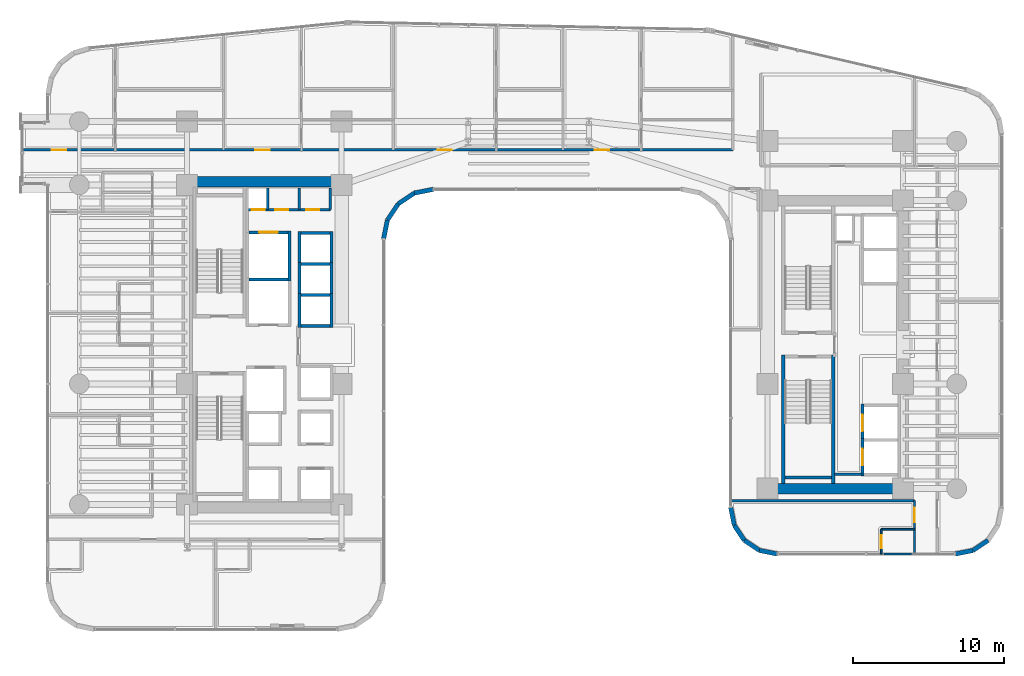
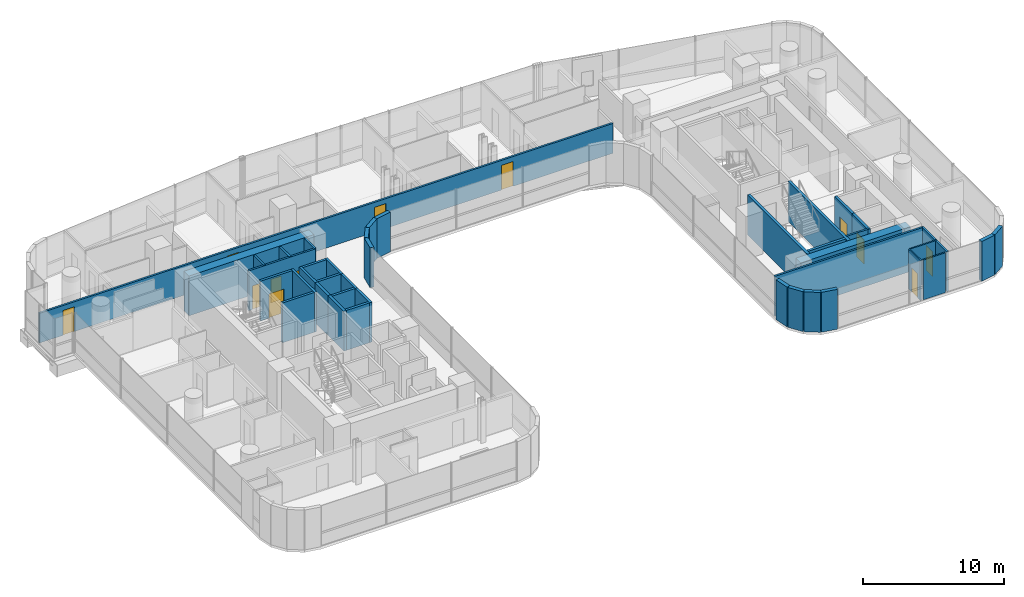
# One storey, part 33 of 42: 41 walls, 12 doors, 12 openings.
"""IFC4 building model written with IfcOpenShell, lengths in metres."""

from ifc_helpers import new_model, si_unit, direction, frame, frame_2d, origin, place, context, subcontext, project, spatial, rectangle, extrude, material, layer, layer_set, type_object, element, fill, save


model = new_model("IFC4")

# Units and contexts
model_context = context("Model", 3, precision=1e-05, world=origin(), true_north=direction((0.0, 1.0)))
body_context = subcontext(model_context, "Body", "Model", "MODEL_VIEW")
ifc_project = project(units=[si_unit("LENGTHUNIT", "METRE"), si_unit("AREAUNIT", "SQUARE_METRE"), si_unit("VOLUMEUNIT", "CUBIC_METRE"), si_unit("PLANEANGLEUNIT", "RADIAN"), si_unit("MASSUNIT", "GRAM", prefix="KILO")], contexts=[model_context])

# Site, building, storey
site_placement = place(None, origin())
site = spatial("IfcSite", under=ifc_project, at=site_placement, CompositionType="ELEMENT")
building_placement = place(site_placement, origin())
building = spatial("IfcBuilding", under=site, at=building_placement, Name="Valdorenza Pilgrim Sanctuary Tower", CompositionType="ELEMENT")
storey_placement = place(building_placement, frame((0.0, 0.0, 55.60009765625)))
storey = spatial("IfcBuildingStorey", under=building, at=storey_placement, Name="L13", CompositionType="ELEMENT", Elevation=55.60009765625)

# Wall, openings, doors
ifc_material_1 = material(Name="Acoustic twin-stud gypsum partition", Category="gypsum")
ifc_layer_1 = layer(ifc_material_1, 0.159912109375, Name="Acoustic twin-stud gypsum partition")
ifc_layer_set_1 = layer_set([ifc_layer_1], Name="Acoustic twin-stud gypsum partition")
wall_type_1 = type_object("IfcWallType", Name="WAL-COR-160", PredefinedType="PARTITIONING", material=ifc_layer_set_1)
wall_1_placement = place(storey_placement, frame((-18.64990234375, 8.949951171875, 0.0), z_axis=(0.0, 0.0, 1.0), x_axis=(1.0, 0.0, 0.0)))
wall_1 = element("IfcWall", 1, at=wall_1_placement, inside=storey, type_object=wall_type_1, Name="L13 Core A North Service South Wall", PredefinedType="PARTITIONING", context=body_context, shape_type="SweptSolid", body=[
    extrude(rectangle(XDim=5.5, YDim=0.159912109375, at=frame_2d((2.75, 0.0))), origin(), (0.0, 0.0, 1.0), 3.4599609375),
])
opening_1_placement = place(wall_1_placement, frame((0.300048828125, 0.0, 0.0)))
opening_1 = element("IfcOpeningElement", 2, at=opening_1_placement, cuts=wall_1, Name="Opening DR-RS1", PredefinedType="OPENING", context=body_context, shape_type="SweptSolid", body=[
    extrude(rectangle(XDim=0.85009765625, YDim=2.050048828125, at=frame_2d((0.425048828125, 1.02490234375))), frame((0.0, 0.0947265625, 0.0), z_axis=(0.0, -1.0, 0.0), x_axis=(1.0, 0.0, 0.0)), (0.0, 0.0, 1.0), 0.189697265625),
])
opening_2_placement = place(wall_1_placement, frame((1.85009765625, 0.0, 0.0)))
opening_2 = element("IfcOpeningElement", 3, at=opening_2_placement, cuts=wall_1, Name="Opening DR-RS1", PredefinedType="OPENING", context=body_context, shape_type="SweptSolid", body=[
    extrude(rectangle(XDim=0.85009765625, YDim=2.050048828125, at=frame_2d((0.425048828125, 1.02490234375))), frame((0.0, 0.0947265625, 0.0), z_axis=(0.0, -1.0, 0.0), x_axis=(1.0, 0.0, 0.0)), (0.0, 0.0, 1.0), 0.189697265625),
])
opening_3_placement = place(wall_1_placement, frame((3.89990234375, 0.0, 0.0)))
opening_3 = element("IfcOpeningElement", 4, at=opening_3_placement, cuts=wall_1, Name="Opening DR-RS1", PredefinedType="OPENING", context=body_context, shape_type="SweptSolid", body=[
    extrude(rectangle(XDim=0.85009765625, YDim=2.050048828125, at=frame_2d((0.425048828125, 1.02490234375))), frame((0.0, 0.0947265625, 0.0), z_axis=(0.0, -1.0, 0.0), x_axis=(1.0, 0.0, 0.0)), (0.0, 0.0, 1.0), 0.189697265625),
])
ifc_material_2 = material(Name="Painted galvanized steel", Category="steel")
door_type_1 = type_object("IfcDoorType", Name="DR-RSR-850", OperationType="NOTDEFINED", PredefinedType="DOOR", material=ifc_material_2)
door_1_placement = place(opening_1_placement, origin())
door_1 = element("IfcDoor", 5, at=door_1_placement, inside=storey, type_object=door_type_1, Name="L13 Core Electrical and Telecom Riser Door", OperationType="SINGLE_SWING_LEFT", OverallHeight=2.050048828125, OverallWidth=0.85009765625, PredefinedType="DOOR", context=body_context, shape_type="SweptSolid", body=[
    extrude(rectangle(XDim=0.85009765625, YDim=2.050048828125, at=frame_2d((0.425048828125, 1.02490234375))), frame((0.0, 0.02490234375, 0.0), z_axis=(0.0, -1.0, 0.0), x_axis=(1.0, 0.0, 0.0)), (0.0, 0.0, 1.0), 0.050048828125),
])
fill(opening_1, door_1)
door_2_placement = place(opening_2_placement, origin())
door_2 = element("IfcDoor", 6, at=door_2_placement, inside=storey, type_object=door_type_1, Name="L13 Housekeeping and Clean Linen Room Door", OperationType="SINGLE_SWING_RIGHT", OverallHeight=2.050048828125, OverallWidth=0.85009765625, PredefinedType="DOOR", context=body_context, shape_type="SweptSolid", body=[
    extrude(rectangle(XDim=0.85009765625, YDim=2.050048828125, at=frame_2d((0.425048828125, 1.02490234375))), frame((0.0, 0.02490234375, 0.0), z_axis=(0.0, -1.0, 0.0), x_axis=(1.0, 0.0, 0.0)), (0.0, 0.0, 1.0), 0.050048828125),
])
fill(opening_2, door_2)
door_3_placement = place(opening_3_placement, origin())
door_3 = element("IfcDoor", 7, at=door_3_placement, inside=storey, type_object=door_type_1, Name="L13 Guest Ice and Vending Pantry Door", OperationType="SINGLE_SWING_LEFT", OverallHeight=2.050048828125, OverallWidth=0.85009765625, PredefinedType="DOOR", context=body_context, shape_type="SweptSolid", body=[
    extrude(rectangle(XDim=0.85009765625, YDim=2.050048828125, at=frame_2d((0.425048828125, 1.02490234375))), frame((0.0, 0.02490234375, 0.0), z_axis=(0.0, -1.0, 0.0), x_axis=(1.0, 0.0, 0.0)), (0.0, 0.0, 1.0), 0.050048828125),
])
fill(opening_3, door_3)

# Walls
for number, where, z_axis, x_axis, name in (
    (8, (-13.14990234375, 8.949951171875, 0.0), (0.0, 0.0, 1.0), (0.0, 1.0, 0.0), "L13 Core A North Service East Wall"),
    (9, (-17.300048828125, 8.949951171875, 0.0), (0.0, 0.0, 1.0), (0.0, 1.0, 0.0), "L13 Core Electrical Riser Wall"),
    (10, (-15.199951171875, 8.949951171875, 0.0), (0.0, 0.0, 1.0), (0.0, 1.0, 0.0), "L13 Core A Housekeeping Split B"),
):
    element("IfcWall", number, at=place(storey_placement, frame(where, z_axis=z_axis, x_axis=x_axis)), inside=storey, type_object=wall_type_1, Name=name, PredefinedType="PARTITIONING", context=body_context, shape_type="SweptSolid", body=[
        extrude(rectangle(XDim=1.429931640625, YDim=0.159912109375, at=frame_2d((0.71484375, 0.0))), origin(), (0.0, 0.0, 1.0), 3.4599609375),
    ])
wall_2_placement = place(storey_placement, frame((20.300048828125, -8.60009765625, 0.0), z_axis=(0.0, 0.0, 1.0), x_axis=(1.0, 0.0, 0.0)))
element("IfcWall", 11, at=wall_2_placement, inside=storey, type_object=wall_type_1, Name="L13 Core B Lift Hall South End Wall", PredefinedType="PARTITIONING", context=body_context, shape_type="SweptSolid", body=[
    extrude(rectangle(XDim=1.820068359375, YDim=0.159912109375, at=frame_2d((0.91015625, 0.0))), origin(), (0.0, 0.0, 1.0), 3.4599609375),
])

# Wall, openings, doors
wall_3_placement = place(storey_placement, frame((-33.5400390625, 12.919921875, 0.0), z_axis=(0.0, 0.0, 1.0), x_axis=(1.0, 0.0, 0.0)))
wall_3 = element("IfcWall", 12, at=wall_3_placement, inside=storey, type_object=wall_type_1, Name="L13 North Corridor Wall", PredefinedType="PARTITIONING", context=body_context, shape_type="SweptSolid", body=[
    extrude(rectangle(XDim=47.090087890625, YDim=0.159912109375, at=frame_2d((23.544921875, 0.0))), origin(), (0.0, 0.0, 1.0), 2.5830078125),
])
opening_4_placement = place(wall_3_placement, frame((1.919921875, 0.0, 0.0)))
opening_4 = element("IfcOpeningElement", 13, at=opening_4_placement, cuts=wall_3, Name="Opening DR-UN1", PredefinedType="OPENING", context=body_context, shape_type="SweptSolid", body=[
    extrude(rectangle(XDim=0.949951171875, YDim=2.14990234375, at=frame_2d((0.47509765625, 1.074951171875))), frame((0.0, 0.0947265625, 0.0), z_axis=(0.0, -1.0, 0.0), x_axis=(1.0, 0.0, 0.0)), (0.0, 0.0, 1.0), 0.189697265625),
])
opening_5_placement = place(wall_3_placement, frame((15.4169921875, 0.0, 0.0)))
opening_5 = element("IfcOpeningElement", 14, at=opening_5_placement, cuts=wall_3, Name="Opening DR-UN1", PredefinedType="OPENING", context=body_context, shape_type="SweptSolid", body=[
    extrude(rectangle(XDim=0.949951171875, YDim=2.14990234375, at=frame_2d((0.47509765625, 1.074951171875))), frame((0.0, 0.0947265625, 0.0), z_axis=(0.0, -1.0, 0.0), x_axis=(1.0, 0.0, 0.0)), (0.0, 0.0, 1.0), 0.189697265625),
])
opening_6_placement = place(wall_3_placement, frame((27.5048828125, 0.0, 0.0)))
opening_6 = element("IfcOpeningElement", 15, at=opening_6_placement, cuts=wall_3, Name="Opening DR-UN1", PredefinedType="OPENING", context=body_context, shape_type="SweptSolid", body=[
    extrude(rectangle(XDim=0.949951171875, YDim=2.14990234375, at=frame_2d((0.47509765625, 1.074951171875))), frame((0.0, 0.0947265625, 0.0), z_axis=(0.0, -1.0, 0.0), x_axis=(1.0, 0.0, 0.0)), (0.0, 0.0, 1.0), 0.189697265625),
])
opening_7_placement = place(wall_3_placement, frame((37.943115234375, 0.0, 0.0)))
opening_7 = element("IfcOpeningElement", 16, at=opening_7_placement, cuts=wall_3, Name="Opening DR-UN1", PredefinedType="OPENING", context=body_context, shape_type="SweptSolid", body=[
    extrude(rectangle(XDim=0.949951171875, YDim=2.14990234375, at=frame_2d((0.47509765625, 1.074951171875))), frame((0.0, 0.0947265625, 0.0), z_axis=(0.0, -1.0, 0.0), x_axis=(1.0, 0.0, 0.0)), (0.0, 0.0, 1.0), 0.189697265625),
])
ifc_material_3 = material(Name="Solid-core European oak timber", Category="wood")
door_type_2 = type_object("IfcDoorType", Name="DR-UNIT-950", OperationType="NOTDEFINED", PredefinedType="DOOR", material=ifc_material_3)
door_4_placement = place(opening_4_placement, frame((0.949951171875, 0.0, 0.0), z_axis=(0.0, 0.0, 1.0), x_axis=(-1.0, 0.0, 0.0)))
door_4 = element("IfcDoor", 17, at=door_4_placement, inside=storey, type_object=door_type_2, Name="L13 North Sanctuary Apartment L13-N1 Entrance Door", OperationType="SINGLE_SWING_LEFT", OverallHeight=2.14990234375, OverallWidth=0.949951171875, PredefinedType="DOOR", context=body_context, shape_type="SweptSolid", body=[
    extrude(rectangle(XDim=0.949951171875, YDim=2.14990234375, at=frame_2d((0.47509765625, 1.074951171875))), frame((0.0, 0.02490234375, 0.0), z_axis=(0.0, -1.0, 0.0), x_axis=(1.0, 0.0, 0.0)), (0.0, 0.0, 1.0), 0.050048828125),
])
fill(opening_4, door_4)
door_5_placement = place(opening_5_placement, frame((0.949951171875, 0.0, 0.0), z_axis=(0.0, 0.0, 1.0), x_axis=(-1.0, 0.0, 0.0)))
door_5 = element("IfcDoor", 18, at=door_5_placement, inside=storey, type_object=door_type_2, Name="L13 North Sanctuary Apartment L13-N2 Entrance Door", OperationType="SINGLE_SWING_LEFT", OverallHeight=2.14990234375, OverallWidth=0.949951171875, PredefinedType="DOOR", context=body_context, shape_type="SweptSolid", body=[
    extrude(rectangle(XDim=0.949951171875, YDim=2.14990234375, at=frame_2d((0.47509765625, 1.074951171875))), frame((0.0, 0.02490234375, 0.0), z_axis=(0.0, -1.0, 0.0), x_axis=(1.0, 0.0, 0.0)), (0.0, 0.0, 1.0), 0.050048828125),
])
fill(opening_5, door_5)
door_6_placement = place(opening_6_placement, frame((0.949951171875, 0.0, 0.0), z_axis=(0.0, 0.0, 1.0), x_axis=(-1.0, 0.0, 0.0)))
door_6 = element("IfcDoor", 19, at=door_6_placement, inside=storey, type_object=door_type_2, Name="L13 North Sanctuary Apartment L13-N3 Entrance Door", OperationType="SINGLE_SWING_LEFT", OverallHeight=2.14990234375, OverallWidth=0.949951171875, PredefinedType="DOOR", context=body_context, shape_type="SweptSolid", body=[
    extrude(rectangle(XDim=0.949951171875, YDim=2.14990234375, at=frame_2d((0.47509765625, 1.074951171875))), frame((0.0, 0.02490234375, 0.0), z_axis=(0.0, -1.0, 0.0), x_axis=(1.0, 0.0, 0.0)), (0.0, 0.0, 1.0), 0.050048828125),
])
fill(opening_6, door_6)
door_7_placement = place(opening_7_placement, frame((0.949951171875, 0.0, 0.0), z_axis=(0.0, 0.0, 1.0), x_axis=(-1.0, 0.0, 0.0)))
door_7 = element("IfcDoor", 20, at=door_7_placement, inside=storey, type_object=door_type_2, Name="L13 North Sanctuary Apartment L13-N4 Entrance Door", OperationType="SINGLE_SWING_LEFT", OverallHeight=2.14990234375, OverallWidth=0.949951171875, PredefinedType="DOOR", context=body_context, shape_type="SweptSolid", body=[
    extrude(rectangle(XDim=0.949951171875, YDim=2.14990234375, at=frame_2d((0.47509765625, 1.074951171875))), frame((0.0, 0.02490234375, 0.0), z_axis=(0.0, -1.0, 0.0), x_axis=(1.0, 0.0, 0.0)), (0.0, 0.0, 1.0), 0.050048828125),
])
fill(opening_7, door_7)

# Wall, opening, door
wall_4_placement = place(storey_placement, frame((25.60009765625, -13.889892578125, 0.0), z_axis=(0.0, 0.0, 1.0), x_axis=(0.0, 1.0, 0.0)))
wall_4 = element("IfcWall", 21, at=wall_4_placement, inside=storey, type_object=wall_type_1, Name="L13 Wing B South-East Corridor Wall", PredefinedType="PARTITIONING", context=body_context, shape_type="SweptSolid", body=[
    extrude(rectangle(XDim=3.539794921875, YDim=0.159912109375, at=frame_2d((1.77001953125, 0.0))), origin(), (0.0, 0.0, 1.0), 3.4599609375),
])
opening_8_placement = place(wall_4_placement, frame((2.1201171875, 0.0, 0.0)))
opening_8 = element("IfcOpeningElement", 22, at=opening_8_placement, cuts=wall_4, Name="Opening DR-UN1", PredefinedType="OPENING", context=body_context, shape_type="SweptSolid", body=[
    extrude(rectangle(XDim=0.949951171875, YDim=2.14990234375, at=frame_2d((0.47509765625, 1.074951171875))), frame((0.0, 0.0947265625, 0.0), z_axis=(0.0, -1.0, 0.0), x_axis=(1.0, 0.0, 0.0)), (0.0, 0.0, 1.0), 0.189697265625),
])
door_8_placement = place(opening_8_placement, origin())
door_8 = element("IfcDoor", 23, at=door_8_placement, inside=storey, type_object=door_type_2, Name="L13 East South Guest Room L13-ES1 Entrance Door", OperationType="SINGLE_SWING_RIGHT", OverallHeight=2.14990234375, OverallWidth=0.949951171875, PredefinedType="DOOR", context=body_context, shape_type="SweptSolid", body=[
    extrude(rectangle(XDim=0.949951171875, YDim=2.14990234375, at=frame_2d((0.47509765625, 1.074951171875))), frame((0.0, 0.02490234375, 0.0), z_axis=(0.0, -1.0, 0.0), x_axis=(1.0, 0.0, 0.0)), (0.0, 0.0, 1.0), 0.050048828125),
])
fill(opening_8, door_8)

# Walls
wall_5_placement = place(storey_placement, frame((13.409912109375, -10.35009765625, 0.0), z_axis=(0.0, 0.0, 1.0), x_axis=(1.0, 0.0, 0.0)))
element("IfcWall", 24, at=wall_5_placement, inside=storey, type_object=wall_type_1, Name="L13 Wing B South North Wall", PredefinedType="PARTITIONING", context=body_context, shape_type="SweptSolid", body=[
    extrude(rectangle(XDim=12.190185546875, YDim=0.159912109375, at=frame_2d((6.09521484375, 0.0))), origin(), (0.0, 0.0, 1.0), 3.4599609375),
])
ifc_material_4 = material(Name="Concrete C60/75", Category="concrete")
ifc_layer_2 = layer(ifc_material_4, 0.699951171875, Name="Concrete C60/75")
ifc_layer_set_2 = layer_set([ifc_layer_2], Name="Concrete C60/75")
wall_type_2 = type_object("IfcWallType", Name="WAL-COR-700", PredefinedType="SHEAR", material=ifc_layer_set_2)
wall_6_placement = place(storey_placement, frame((-22.64990234375, 10.800048828125, 0.0), z_axis=(0.0, 0.0, 1.0), x_axis=(1.0, 0.0, 0.0)))
element("IfcWall", 25, at=wall_6_placement, inside=storey, type_object=wall_type_2, Name="L13 Split Core A Shear Wall N", PredefinedType="SHEAR", context=body_context, shape_type="SweptSolid", body=[
    extrude(rectangle(XDim=10.25, YDim=0.699951171875, at=frame_2d((5.125, 0.0))), origin(), (0.0, 0.0, 1.0), 3.4599609375),
])
wall_7_placement = place(storey_placement, frame((15.85009765625, -9.550048828125, 0.0), z_axis=(0.0, 0.0, 1.0), x_axis=(1.0, 0.0, 0.0)))
element("IfcWall", 26, at=wall_7_placement, inside=storey, type_object=wall_type_2, Name="L13 Split Core B Shear Wall S", PredefinedType="SHEAR", context=body_context, shape_type="SweptSolid", body=[
    extrude(rectangle(XDim=9.0, YDim=0.699951171875, at=frame_2d((4.5, 0.0))), origin(), (0.0, 0.0, 1.0), 3.4599609375),
])
ifc_material_5 = material(Name="Honed travertine limestone", Category="masonry")
ifc_layer_3 = layer(ifc_material_5, 0.300048828125, Name="Honed travertine limestone")
ifc_layer_set_3 = layer_set([ifc_layer_3], Name="Honed travertine limestone")
wall_type_3 = type_object("IfcWallType", Name="WAL-EXT-300", PredefinedType="SOLIDWALL", material=ifc_layer_set_3)
wall_8_placement = place(storey_placement, frame((30.4833984375, -12.9833984375, 0.0), z_axis=(0.0, 0.0, 1.0), x_axis=(-0.831426265255, -0.555635100982, 0.0)))
element("IfcWall", 27, at=wall_8_placement, inside=storey, type_object=wall_type_3, Name="L13 Rounded Wind-Corner Stone Pier 24", PredefinedType="SOLIDWALL", context=body_context, shape_type="SweptSolid", body=[
    extrude(rectangle(XDim=1.204833984375, YDim=0.300048828125, at=frame_2d((0.6025390625, 0.0))), origin(), (0.0, 0.0, 1.0), 3.4599609375),
])
for number, where, z_axis, x_axis, name in (
    (28, (29.481689453125, -13.65283203125, 0.0), (0.0, 0.0, 1.0), (-0.980804027463, -0.194996050505, 0.0), "L13 Rounded Wind-Corner Stone Pier 25"),
    (29, (16.5107421875, -13.889892578125, 0.0), (0.0, 0.0, 1.0), (-0.980804027463, 0.194996050505, 0.0), "L13 Rounded Wind-Corner Stone Pier 27"),
):
    element("IfcWall", number, at=place(storey_placement, frame(where, z_axis=z_axis, x_axis=x_axis)), inside=storey, type_object=wall_type_3, Name=name, PredefinedType="SOLIDWALL", context=body_context, shape_type="SweptSolid", body=[
        extrude(rectangle(XDim=1.2158203125, YDim=0.300048828125, at=frame_2d((0.60791015625, 0.0))), origin(), (0.0, 0.0, 1.0), 3.4599609375),
    ])
for number, where, z_axis, x_axis, name in (
    (30, (15.318359375, -13.65283203125, 0.0), (0.0, 0.0, 1.0), (-0.831426265255, 0.555635100982, 0.0), "L13 Rounded Wind-Corner Stone Pier 28"),
    (31, (14.316650390625, -12.9833984375, 0.0), (0.0, 0.0, 1.0), (-0.555635100982, 0.831426265255, 0.0), "L13 Rounded Wind-Corner Stone Pier 29"),
):
    element("IfcWall", number, at=place(storey_placement, frame(where, z_axis=z_axis, x_axis=x_axis)), inside=storey, type_object=wall_type_3, Name=name, PredefinedType="SOLIDWALL", context=body_context, shape_type="SweptSolid", body=[
        extrude(rectangle(XDim=1.204833984375, YDim=0.300048828125, at=frame_2d((0.6025390625, 0.0))), origin(), (0.0, 0.0, 1.0), 3.4599609375),
    ])
wall_9_placement = place(storey_placement, frame((13.647216796875, -11.981689453125, 0.0), z_axis=(0.0, 0.0, 1.0), x_axis=(-0.195189223115, 0.980765602568, 0.0)))
element("IfcWall", 32, at=wall_9_placement, inside=storey, type_object=wall_type_3, Name="L13 Rounded Wind-Corner Stone Pier 30", PredefinedType="SOLIDWALL", context=body_context, shape_type="SweptSolid", body=[
    extrude(rectangle(XDim=1.2158203125, YDim=0.300048828125, at=frame_2d((0.60791015625, 0.0))), origin(), (0.0, 0.0, 1.0), 3.4599609375),
])
wall_10_placement = place(storey_placement, frame((-6.310791015625, 10.31005859375, 0.0), z_axis=(0.0, 0.0, 1.0), x_axis=(-0.980778058848, -0.195126623715, 0.0)))
element("IfcWall", 33, at=wall_10_placement, inside=storey, type_object=wall_type_3, Name="L13 Rounded Wind-Corner Stone Pier 37", PredefinedType="SOLIDWALL", context=body_context, shape_type="SweptSolid", body=[
    extrude(rectangle(XDim=1.28125, YDim=0.300048828125, at=frame_2d((0.640625, 0.0))), origin(), (0.0, 0.0, 1.0), 3.4599609375),
])
wall_11_placement = place(storey_placement, frame((-7.5673828125, 10.06005859375, 0.0), z_axis=(0.0, 0.0, 1.0), x_axis=(-0.831497739511, -0.555528135371, 0.0)))
element("IfcWall", 34, at=wall_11_placement, inside=storey, type_object=wall_type_3, Name="L13 Rounded Wind-Corner Stone Pier 38", PredefinedType="SOLIDWALL", context=body_context, shape_type="SweptSolid", body=[
    extrude(rectangle(XDim=1.29248046875, YDim=0.300048828125, at=frame_2d((0.646240234375, 0.0))), origin(), (0.0, 0.0, 1.0), 3.4599609375),
])
wall_12_placement = place(storey_placement, frame((-8.64208984375, 9.342041015625, 0.0), z_axis=(0.0, 0.0, 1.0), x_axis=(-0.555615398575, -0.831439431869, 0.0)))
element("IfcWall", 35, at=wall_12_placement, inside=storey, type_object=wall_type_3, Name="L13 Rounded Wind-Corner Stone Pier 39", PredefinedType="SOLIDWALL", context=body_context, shape_type="SweptSolid", body=[
    extrude(rectangle(XDim=1.292236328125, YDim=0.300048828125, at=frame_2d((0.64599609375, 0.0))), origin(), (0.0, 0.0, 1.0), 3.4599609375),
])
wall_13_placement = place(storey_placement, frame((-9.360107421875, 8.267578125, 0.0), z_axis=(0.0, 0.0, 1.0), x_axis=(-0.195090163074, -0.980785312019, 0.0)))
element("IfcWall", 36, at=wall_13_placement, inside=storey, type_object=wall_type_3, Name="L13 Rounded Wind-Corner Stone Pier 40", PredefinedType="SOLIDWALL", context=body_context, shape_type="SweptSolid", body=[
    extrude(rectangle(XDim=1.281494140625, YDim=0.300048828125, at=frame_2d((0.640625, 0.0))), origin(), (0.0, 0.0, 1.0), 3.4599609375),
])
ifc_material_6 = material(Name="Moisture-resistant gypsum partition", Category="gypsum")
ifc_layer_4 = layer(ifc_material_6, 0.1201171875, Name="Moisture-resistant gypsum partition")
ifc_layer_set_4 = layer_set([ifc_layer_4], Name="Moisture-resistant gypsum partition")
wall_type_4 = type_object("IfcWallType", Name="WAL-INT-120", PredefinedType="PARTITIONING", material=ifc_layer_set_4)
wall_14_placement = place(storey_placement, frame((23.39990234375, -12.239990234375, 0.0), z_axis=(0.0, 0.0, 1.0), x_axis=(1.0, 0.0, 0.0)))
element("IfcWall", 37, at=wall_14_placement, inside=storey, type_object=wall_type_4, Name="L13 East South Guest Room L13-ES1 En-suite North Wall", PredefinedType="PARTITIONING", context=body_context, shape_type="SweptSolid", body=[
    extrude(rectangle(XDim=2.2001953125, YDim=0.1201171875, at=frame_2d((1.10009765625, 0.0))), origin(), (0.0, 0.0, 1.0), 3.4599609375),
])

# Wall, opening, door
wall_15_placement = place(storey_placement, frame((23.39990234375, -13.889892578125, 0.0), z_axis=(0.0, 0.0, 1.0), x_axis=(0.0, 1.0, 0.0)))
wall_15 = element("IfcWall", 38, at=wall_15_placement, inside=storey, type_object=wall_type_4, Name="L13 East South Guest Room L13-ES1 En-suite Door Wall", PredefinedType="PARTITIONING", context=body_context, shape_type="SweptSolid", body=[
    extrude(rectangle(XDim=1.64990234375, YDim=0.1201171875, at=frame_2d((0.824951171875, 0.0))), origin(), (0.0, 0.0, 1.0), 3.4599609375),
])
opening_9_placement = place(wall_15_placement, frame((0.39990234375, 0.0, 0.0)))
opening_9 = element("IfcOpeningElement", 39, at=opening_9_placement, cuts=wall_15, Name="Opening DR-WC1", PredefinedType="OPENING", context=body_context, shape_type="SweptSolid", body=[
    extrude(rectangle(XDim=0.85009765625, YDim=2.10009765625, at=frame_2d((0.425048828125, 1.050048828125))), frame((0.0, 0.074951171875, 0.0), z_axis=(0.0, -1.0, 0.0), x_axis=(1.0, 0.0, 0.0)), (0.0, 0.0, 1.0), 0.14990234375),
])
ifc_material_7 = material(Name="Moisture-resistant lacquered timber", Category="wood")
door_type_3 = type_object("IfcDoorType", Name="DR-BATH-850", OperationType="NOTDEFINED", PredefinedType="DOOR", material=ifc_material_7)
door_9_placement = place(opening_9_placement, origin())
door_9 = element("IfcDoor", 40, at=door_9_placement, inside=storey, type_object=door_type_3, Name="L13 East South Guest Room L13-ES1 En-suite Bathroom Door", OperationType="SINGLE_SWING_LEFT", OverallHeight=2.10009765625, OverallWidth=0.85009765625, PredefinedType="DOOR", context=body_context, shape_type="SweptSolid", body=[
    extrude(rectangle(XDim=0.85009765625, YDim=2.10009765625, at=frame_2d((0.425048828125, 1.050048828125))), frame((0.0, 0.02490234375, 0.0), z_axis=(0.0, -1.0, 0.0), x_axis=(1.0, 0.0, 0.0)), (0.0, 0.0, 1.0), 0.050048828125),
])
fill(opening_9, door_9)

# Walls
wall_16_placement = place(storey_placement, frame((23.580078125, -13.889892578125, 0.0), z_axis=(0.0, 0.0, 1.0), x_axis=(1.0, 0.0, 0.0)))
element("IfcWall", 41, at=wall_16_placement, inside=storey, type_object=wall_type_4, Name="L13 WB-SG1-ENS Enclosure Wall S", PredefinedType="PARTITIONING", context=body_context, shape_type="SweptSolid", body=[
    extrude(rectangle(XDim=1.81982421875, YDim=0.1201171875, at=frame_2d((0.909912109375, 0.0))), origin(), (0.0, 0.0, 1.0), 3.4599609375),
])
ifc_material_8 = material(Name="Autoclaved aerated concrete blockwork", Category="masonry")
ifc_layer_5 = layer(ifc_material_8, 0.199951171875, Name="Autoclaved aerated concrete blockwork")
ifc_layer_set_5 = layer_set([ifc_layer_5], Name="Autoclaved aerated concrete blockwork")
wall_type_5 = type_object("IfcWallType", Name="WAL-SHF-200", PredefinedType="MOVABLE", material=ifc_layer_set_5)
wall_17_placement = place(storey_placement, frame((-18.550048828125, 4.324951171875, 0.0), z_axis=(0.0, 0.0, 1.0), x_axis=(1.0, 0.0, 0.0)))
element("IfcWall", 42, at=wall_17_placement, inside=storey, type_object=wall_type_5, Name="L13 Lift FFL-01 Hoistway Wall North", PredefinedType="MOVABLE", context=body_context, shape_type="SweptSolid", body=[
    extrude(rectangle(XDim=2.60009765625, YDim=0.199951171875, at=frame_2d((1.300048828125, 0.0))), origin(), (0.0, 0.0, 1.0), 3.4599609375),
])
wall_18_placement = place(storey_placement, frame((-15.85009765625, 4.22509765625, 0.0), z_axis=(0.0, 0.0, 1.0), x_axis=(0.0, 1.0, 0.0)))
element("IfcWall", 43, at=wall_18_placement, inside=storey, type_object=wall_type_5, Name="L13 Lift SVL-01 Hoistway Wall East", PredefinedType="MOVABLE", context=body_context, shape_type="SweptSolid", body=[
    extrude(rectangle(XDim=3.324951171875, YDim=0.199951171875, at=frame_2d((1.66259765625, 0.0))), origin(), (0.0, 0.0, 1.0), 3.4599609375),
])

# Wall, opening, door
wall_19_placement = place(storey_placement, frame((-18.550048828125, 7.449951171875, 0.0), z_axis=(0.0, 0.0, 1.0), x_axis=(1.0, 0.0, 0.0)))
wall_19 = element("IfcWall", 44, at=wall_19_placement, inside=storey, type_object=wall_type_5, Name="L13 Lift SVL-01 Hoistway Wall North", PredefinedType="MOVABLE", context=body_context, shape_type="SweptSolid", body=[
    extrude(rectangle(XDim=2.60009765625, YDim=0.199951171875, at=frame_2d((1.300048828125, 0.0))), origin(), (0.0, 0.0, 1.0), 3.4599609375),
])
opening_10_placement = place(wall_19_placement, frame((0.699951171875, 0.0, 0.0)))
opening_10 = element("IfcOpeningElement", 45, at=opening_10_placement, cuts=wall_19, Name="Opening LD-02", PredefinedType="OPENING", context=body_context, shape_type="SweptSolid", body=[
    extrude(rectangle(XDim=1.199951171875, YDim=2.10009765625, at=frame_2d((0.60009765625, 1.050048828125))), frame((0.0, 0.11474609375, 0.0), z_axis=(0.0, -1.0, 0.0), x_axis=(1.0, 0.0, 0.0)), (0.0, 0.0, 1.0), 0.229736328125),
])
ifc_material_9 = material(Name="Brushed stainless steel Grade 316", Category="steel")
door_type_4 = type_object("IfcDoorType", Name="DR-LFT-1200", OperationType="DOUBLE_DOOR_SLIDING", PredefinedType="DOOR", material=ifc_material_9)
door_10_placement = place(opening_10_placement, origin())
door_10 = element("IfcDoor", 46, at=door_10_placement, inside=storey, type_object=door_type_4, Name="L13 Lift SVL-01 Sliding Landing Door", OperationType="DOUBLE_DOOR_SLIDING", OverallHeight=2.10009765625, OverallWidth=1.199951171875, PredefinedType="DOOR", context=body_context, shape_type="SweptSolid", body=[
    extrude(rectangle(XDim=1.199951171875, YDim=2.10009765625, at=frame_2d((0.60009765625, 1.050048828125))), frame((0.0, 0.02490234375, 0.0), z_axis=(0.0, -1.0, 0.0), x_axis=(1.0, 0.0, 0.0)), (0.0, 0.0, 1.0), 0.050048828125),
])
fill(opening_10, door_10)

wall_20_placement = place(storey_placement, frame((22.14990234375, -8.699951171875, 0.0), z_axis=(0.0, 0.0, 1.0), x_axis=(0.0, 1.0, 0.0)))
wall_20 = element("IfcWall", 47, at=wall_20_placement, inside=storey, type_object=wall_type_5, Name="L13 Lift PL-03 Hoistway Wall West", PredefinedType="MOVABLE", context=body_context, shape_type="SweptSolid", body=[
    extrude(rectangle(XDim=2.474853515625, YDim=0.199951171875, at=frame_2d((1.2373046875, 0.0))), origin(), (0.0, 0.0, 1.0), 3.4599609375),
])
opening_11_placement = place(wall_20_placement, frame((0.6875, 0.0, 0.0)))
opening_11 = element("IfcOpeningElement", 48, at=opening_11_placement, cuts=wall_20, Name="Opening LD-01", PredefinedType="OPENING", context=body_context, shape_type="SweptSolid", body=[
    extrude(rectangle(XDim=1.10009765625, YDim=2.10009765625, at=frame_2d((0.550048828125, 1.050048828125))), frame((0.0, 0.11474609375, 0.0), z_axis=(0.0, -1.0, 0.0), x_axis=(1.0, 0.0, 0.0)), (0.0, 0.0, 1.0), 0.229736328125),
])
door_type_5 = type_object("IfcDoorType", Name="DR-LFT-1100", OperationType="DOUBLE_DOOR_SLIDING", PredefinedType="DOOR", material=ifc_material_9)
door_11_placement = place(opening_11_placement, origin())
door_11 = element("IfcDoor", 49, at=door_11_placement, inside=storey, type_object=door_type_5, Name="L13 Lift PL-03 Sliding Landing Door", OperationType="DOUBLE_DOOR_SLIDING", OverallHeight=2.10009765625, OverallWidth=1.10009765625, PredefinedType="DOOR", context=body_context, shape_type="SweptSolid", body=[
    extrude(rectangle(XDim=1.10009765625, YDim=2.10009765625, at=frame_2d((0.550048828125, 1.050048828125))), frame((0.0, 0.02490234375, 0.0), z_axis=(0.0, -1.0, 0.0), x_axis=(1.0, 0.0, 0.0)), (0.0, 0.0, 1.0), 0.050048828125),
])
fill(opening_11, door_11)

wall_21_placement = place(storey_placement, frame((22.14990234375, -6.425048828125, 0.0), z_axis=(0.0, 0.0, 1.0), x_axis=(0.0, 1.0, 0.0)))
wall_21 = element("IfcWall", 50, at=wall_21_placement, inside=storey, type_object=wall_type_5, Name="L13 Lift PL-04 Hoistway Wall West", PredefinedType="MOVABLE", context=body_context, shape_type="SweptSolid", body=[
    extrude(rectangle(XDim=2.47509765625, YDim=0.199951171875, at=frame_2d((1.237548828125, 0.0))), origin(), (0.0, 0.0, 1.0), 3.4599609375),
])
opening_12_placement = place(wall_21_placement, frame((0.6875, 0.0, 0.0)))
opening_12 = element("IfcOpeningElement", 51, at=opening_12_placement, cuts=wall_21, Name="Opening LD-01", PredefinedType="OPENING", context=body_context, shape_type="SweptSolid", body=[
    extrude(rectangle(XDim=1.10009765625, YDim=2.10009765625, at=frame_2d((0.550048828125, 1.050048828125))), frame((0.0, 0.11474609375, 0.0), z_axis=(0.0, -1.0, 0.0), x_axis=(1.0, 0.0, 0.0)), (0.0, 0.0, 1.0), 0.229736328125),
])
door_12_placement = place(opening_12_placement, origin())
door_12 = element("IfcDoor", 52, at=door_12_placement, inside=storey, type_object=door_type_5, Name="L13 Lift PL-04 Sliding Landing Door", OperationType="DOUBLE_DOOR_SLIDING", OverallHeight=2.10009765625, OverallWidth=1.10009765625, PredefinedType="DOOR", context=body_context, shape_type="SweptSolid", body=[
    extrude(rectangle(XDim=1.10009765625, YDim=2.10009765625, at=frame_2d((0.550048828125, 1.050048828125))), frame((0.0, 0.02490234375, 0.0), z_axis=(0.0, -1.0, 0.0), x_axis=(1.0, 0.0, 0.0)), (0.0, 0.0, 1.0), 0.050048828125),
])
fill(opening_12, door_12)

# Walls
for number, where, z_axis, x_axis, name in (
    (53, (-15.199951171875, 1.14990234375, 0.0), (0.0, 0.0, 1.0), (0.0, 1.0, 0.0), "L13 Lift PL-06 Hoistway Wall West"),
    (54, (-13.080078125, 1.14990234375, 0.0), (0.0, 0.0, 1.0), (0.0, 1.0, 0.0), "L13 Lift PL-06 Hoistway Wall East"),
):
    element("IfcWall", number, at=place(storey_placement, frame(where, z_axis=z_axis, x_axis=x_axis)), inside=storey, type_object=wall_type_5, Name=name, PredefinedType="MOVABLE", context=body_context, shape_type="SweptSolid", body=[
        extrude(rectangle(XDim=2.25, YDim=0.199951171875, at=frame_2d((1.125, 0.0))), origin(), (0.0, 0.0, 1.0), 3.4599609375),
    ])
wall_22_placement = place(storey_placement, frame((-15.10009765625, 1.25, 0.0), z_axis=(0.0, 0.0, 1.0), x_axis=(1.0, 0.0, 0.0)))
element("IfcWall", 55, at=wall_22_placement, inside=storey, type_object=wall_type_5, Name="L13 Lift PL-06 Hoistway Wall South", PredefinedType="MOVABLE", context=body_context, shape_type="SweptSolid", body=[
    extrude(rectangle(XDim=1.920166015625, YDim=0.199951171875, at=frame_2d((0.9599609375, 0.0))), origin(), (0.0, 0.0, 1.0), 3.4599609375),
])
for number, where, z_axis, x_axis, name in (
    (56, (-15.199951171875, 3.199951171875, 0.0), (0.0, 0.0, 1.0), (0.0, 1.0, 0.0), "L13 Lift PL-09 Hoistway Wall West"),
    (57, (-13.080078125, 3.199951171875, 0.0), (0.0, 0.0, 1.0), (0.0, 1.0, 0.0), "L13 Lift PL-09 Hoistway Wall East"),
):
    element("IfcWall", number, at=place(storey_placement, frame(where, z_axis=z_axis, x_axis=x_axis)), inside=storey, type_object=wall_type_5, Name=name, PredefinedType="MOVABLE", context=body_context, shape_type="SweptSolid", body=[
        extrude(rectangle(XDim=2.25, YDim=0.199951171875, at=frame_2d((1.125, 0.0))), origin(), (0.0, 0.0, 1.0), 3.4599609375),
    ])
for number, where, z_axis, x_axis, name in (
    (58, (-15.10009765625, 3.300048828125, 0.0), (0.0, 0.0, 1.0), (1.0, 0.0, 0.0), "L13 Lift PL-09 Hoistway Wall South"),
    (59, (-15.10009765625, 5.35009765625, 0.0), (0.0, 0.0, 1.0), (1.0, 0.0, 0.0), "L13 Lift PL-09 Hoistway Wall North"),
):
    element("IfcWall", number, at=place(storey_placement, frame(where, z_axis=z_axis, x_axis=x_axis)), inside=storey, type_object=wall_type_5, Name=name, PredefinedType="MOVABLE", context=body_context, shape_type="SweptSolid", body=[
        extrude(rectangle(XDim=1.920166015625, YDim=0.199951171875, at=frame_2d((0.9599609375, 0.0))), origin(), (0.0, 0.0, 1.0), 3.4599609375),
    ])
for number, where, z_axis, x_axis, name in (
    (60, (-15.199951171875, 5.25, 0.0), (0.0, 0.0, 1.0), (0.0, 1.0, 0.0), "L13 Lift PL-10 Hoistway Wall West"),
    (61, (-13.080078125, 5.25, 0.0), (0.0, 0.0, 1.0), (0.0, 1.0, 0.0), "L13 Lift PL-10 Hoistway Wall East"),
):
    element("IfcWall", number, at=place(storey_placement, frame(where, z_axis=z_axis, x_axis=x_axis)), inside=storey, type_object=wall_type_5, Name=name, PredefinedType="MOVABLE", context=body_context, shape_type="SweptSolid", body=[
        extrude(rectangle(XDim=2.25, YDim=0.199951171875, at=frame_2d((1.125, 0.0))), origin(), (0.0, 0.0, 1.0), 3.4599609375),
    ])
wall_23_placement = place(storey_placement, frame((-15.10009765625, 7.39990234375, 0.0), z_axis=(0.0, 0.0, 1.0), x_axis=(1.0, 0.0, 0.0)))
element("IfcWall", 62, at=wall_23_placement, inside=storey, type_object=wall_type_5, Name="L13 Lift PL-10 Hoistway Wall North", PredefinedType="MOVABLE", context=body_context, shape_type="SweptSolid", body=[
    extrude(rectangle(XDim=1.920166015625, YDim=0.199951171875, at=frame_2d((0.9599609375, 0.0))), origin(), (0.0, 0.0, 1.0), 3.4599609375),
])
ifc_material_10 = material(Name="Concrete C40/50", Category="concrete")
ifc_layer_6 = layer(ifc_material_10, 0.219970703125, Name="Concrete C40/50")
ifc_layer_set_6 = layer_set([ifc_layer_6], Name="Concrete C40/50")
wall_type_6 = type_object("IfcWallType", Name="WAL-STR-SHF-220", PredefinedType="SHEAR", material=ifc_layer_set_6)
for number, where, z_axis, x_axis, name in (
    (63, (16.889892578125, -9.199951171875, 0.0), (0.0, 0.0, 1.0), (0.0, 1.0, 0.0), "L13 ST-B2 Structural Stairwell Wall W"),
    (64, (20.219970703125, -9.199951171875, 0.0), (0.0, 0.0, 1.0), (0.0, 1.0, 0.0), "L13 ST-B2 Structural Stairwell Wall E"),
):
    element("IfcWall", number, at=place(storey_placement, frame(where, z_axis=z_axis, x_axis=x_axis)), inside=storey, type_object=wall_type_6, Name=name, PredefinedType="SHEAR", context=body_context, shape_type="SweptSolid", body=[
        extrude(rectangle(XDim=8.52001953125, YDim=0.219970703125, at=frame_2d((4.260009765625, 0.0))), origin(), (0.0, 0.0, 1.0), 3.4599609375),
    ])
wall_24_placement = place(storey_placement, frame((17.0, -8.81005859375, 0.0), z_axis=(0.0, 0.0, 1.0), x_axis=(1.0, 0.0, 0.0)))
element("IfcWall", 65, at=wall_24_placement, inside=storey, type_object=wall_type_6, Name="L13 ST-B2 Structural Stairwell Wall S", PredefinedType="SHEAR", context=body_context, shape_type="SweptSolid", body=[
    extrude(rectangle(XDim=3.110107421875, YDim=0.219970703125, at=frame_2d((1.55517578125, 0.0))), origin(), (0.0, 0.0, 1.0), 3.4599609375),
])

save(model, "model.ifc")
